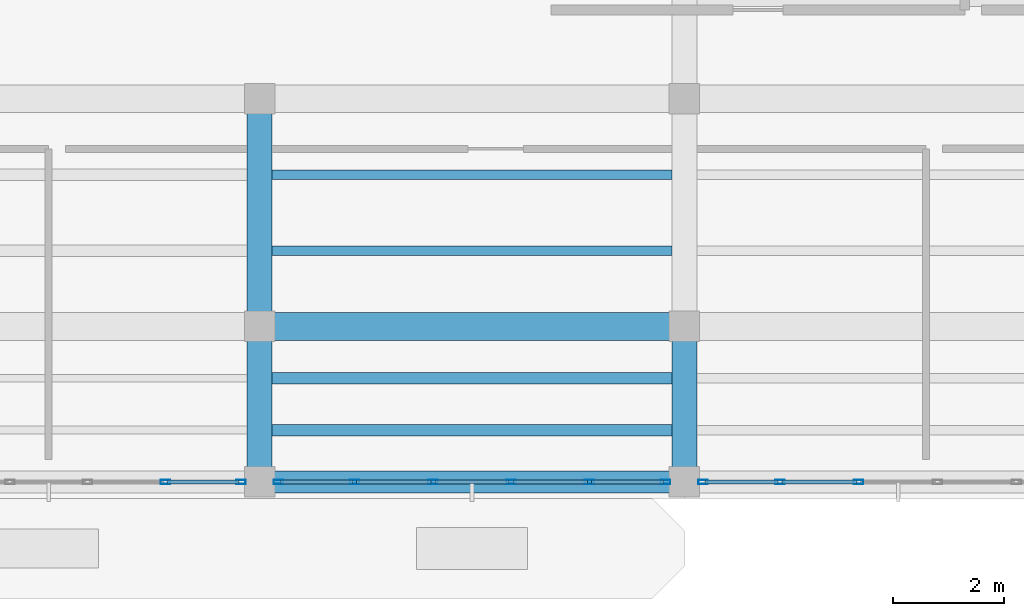
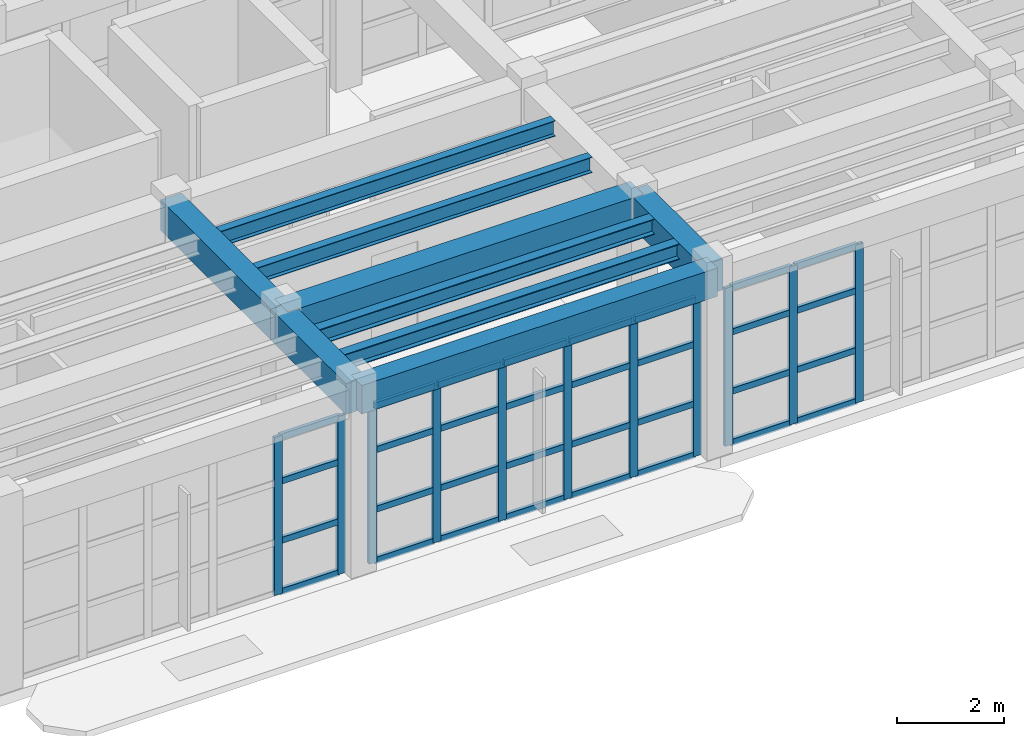
# One storey, part 25 of 85: 43 members, 9 beams, 3 elements without a shape of their own.
"""IFC4 building model written with IfcOpenShell, lengths in metres."""

from ifc_helpers import new_model, si_unit, direction, frame, origin, origin_2d, place, context, subcontext, project, spatial, rectangle, hollow_rectangle, i_section, extrude, material, layer, layer_set, material_profile, profile_set, type_object, element, aggregate, save


model = new_model("IFC4")

# Units and contexts
model_context = context("Model", 3, precision=1e-05, world=origin(), true_north=direction((0.0, 1.0)))
body_context = subcontext(model_context, "Body", "Model", "MODEL_VIEW")
ifc_project = project(units=[si_unit("LENGTHUNIT", "METRE"), si_unit("AREAUNIT", "SQUARE_METRE"), si_unit("VOLUMEUNIT", "CUBIC_METRE"), si_unit("PLANEANGLEUNIT", "RADIAN"), si_unit("MASSUNIT", "GRAM", prefix="KILO")], contexts=[model_context])

# Site, building, storey
site_placement = place(None, origin())
site = spatial("IfcSite", under=ifc_project, at=site_placement, CompositionType="ELEMENT")
building_placement = place(site_placement, origin())
building = spatial("IfcBuilding", under=site, at=building_placement, Name="Candilejo Ridge Gondola Terminal", CompositionType="ELEMENT")
storey_placement = place(building_placement, frame((0.0, 0.0, 4.5)))
storey = spatial("IfcBuildingStorey", under=building, at=storey_placement, Name="L01", CompositionType="ELEMENT", Elevation=4.5)

# Curtain wall, members
ifc_material_1 = material(Name="Anodised aluminium AA 6063-T6", Category="aluminium")
ifc_layer_1 = layer(ifc_material_1, 0.169921875)
ifc_layer_set_1 = layer_set([ifc_layer_1], Name="ARC-CW-CONCOURSE-3600-700X359")
curtain_wall_type_1 = type_object("IfcCurtainWallType", Name="ARC-CW-CONCOURSE-3600-700X359", PredefinedType="NOTDEFINED", material=ifc_layer_set_1)
curtain_wall_1_placement = place(storey_placement, origin())
curtain_wall_1 = element("IfcCurtainWall", 1, at=curtain_wall_1_placement, inside=storey, type_object=curtain_wall_type_1, Name="Curtain wall V3 L01-073", PredefinedType="NOTDEFINED")
ifc_material_2 = material(Name="Anodised aluminium AA 6063-T6", Category="aluminium")
ifc_material_profile_1 = material_profile(ifc_material_2, hollow_rectangle(XDim=0.074951171875, YDim=0.169921875, WallThickness=0.00390625, at=origin_2d()))
ifc_profile_set_1 = profile_set([ifc_material_profile_1], Name="Anodised aluminium AA 6063-T6")
member_type_1 = type_object("IfcMemberType", Name="ARC-CW-MULLION", PredefinedType="MULLION", material=ifc_profile_set_1)
member_1_placement = place(storey_placement, frame((100.5, 22.89990234375, 0.0), z_axis=(0.0, 0.0, 1.0), x_axis=(0.0, 1.0, 0.0)))
member_1 = element("IfcMember", 2, at=member_1_placement, type_object=member_type_1, Name="CW-70X35 mullion 5", PredefinedType="MULLION", context=body_context, shape_type="SweptSolid", body=[
    extrude(hollow_rectangle(XDim=0.074951171875, YDim=0.169921875, WallThickness=0.00390625, at=origin_2d()), origin(), (0.0, 0.0, 1.0), 3.590087890625),
])
member_2_placement = place(storey_placement, frame((101.862548828125, 22.89990234375, 0.0), z_axis=(0.0, 0.0, 1.0), x_axis=(0.0, 1.0, 0.0)))
member_2 = element("IfcMember", 3, at=member_2_placement, type_object=member_type_1, Name="CW-70X35 mullion 6", PredefinedType="MULLION", context=body_context, shape_type="SweptSolid", body=[
    extrude(hollow_rectangle(XDim=0.074951171875, YDim=0.169921875, WallThickness=0.00390625, at=origin_2d()), origin(), (0.0, 0.0, 1.0), 3.590087890625),
])

ifc_material_3 = material(Name="Anodised aluminium AA 6063-T6", Category="aluminium")
ifc_layer_2 = layer(ifc_material_3, 0.169921875)
ifc_layer_set_2 = layer_set([ifc_layer_2], Name="ARC-CW-CONCOURSE-3600-705X359")
curtain_wall_type_2 = type_object("IfcCurtainWallType", Name="ARC-CW-CONCOURSE-3600-705X359", PredefinedType="NOTDEFINED", material=ifc_layer_set_2)
curtain_wall_2_placement = place(storey_placement, origin())
curtain_wall_2 = element("IfcCurtainWall", 4, at=curtain_wall_2_placement, inside=storey, type_object=curtain_wall_type_2, Name="Curtain wall V3 L01-075", PredefinedType="NOTDEFINED")
member_3_placement = place(storey_placement, frame((102.53759765625, 22.89990234375, 0.0), z_axis=(0.0, 0.0, 1.0), x_axis=(0.0, 1.0, 0.0)))
member_3 = element("IfcMember", 5, at=member_3_placement, type_object=member_type_1, Name="CW-70X35 mullion 1", PredefinedType="MULLION", context=body_context, shape_type="SweptSolid", body=[
    extrude(hollow_rectangle(XDim=0.074951171875, YDim=0.169921875, WallThickness=0.00390625, at=origin_2d()), origin(), (0.0, 0.0, 1.0), 3.590087890625),
])
member_4_placement = place(storey_placement, frame((103.909912109375, 22.89990234375, 0.0), z_axis=(0.0, 0.0, 1.0), x_axis=(0.0, 1.0, 0.0)))
member_4 = element("IfcMember", 6, at=member_4_placement, type_object=member_type_1, Name="CW-70X35 mullion 2", PredefinedType="MULLION", context=body_context, shape_type="SweptSolid", body=[
    extrude(hollow_rectangle(XDim=0.074951171875, YDim=0.169921875, WallThickness=0.00390625, at=origin_2d()), origin(), (0.0, 0.0, 1.0), 3.590087890625),
])
member_5_placement = place(storey_placement, frame((105.320068359375, 22.89990234375, 0.0), z_axis=(0.0, 0.0, 1.0), x_axis=(0.0, 1.0, 0.0)))
member_5 = element("IfcMember", 7, at=member_5_placement, type_object=member_type_1, Name="CW-70X35 mullion 3", PredefinedType="MULLION", context=body_context, shape_type="SweptSolid", body=[
    extrude(hollow_rectangle(XDim=0.074951171875, YDim=0.169921875, WallThickness=0.00390625, at=origin_2d()), origin(), (0.0, 0.0, 1.0), 3.590087890625),
])
member_6_placement = place(storey_placement, frame((106.72998046875, 22.89990234375, 0.0), z_axis=(0.0, 0.0, 1.0), x_axis=(0.0, 1.0, 0.0)))
member_6 = element("IfcMember", 8, at=member_6_placement, type_object=member_type_1, Name="CW-70X35 mullion 4", PredefinedType="MULLION", context=body_context, shape_type="SweptSolid", body=[
    extrude(hollow_rectangle(XDim=0.074951171875, YDim=0.169921875, WallThickness=0.00390625, at=origin_2d()), origin(), (0.0, 0.0, 1.0), 3.590087890625),
])
member_7_placement = place(storey_placement, frame((108.139892578125, 22.89990234375, 0.0), z_axis=(0.0, 0.0, 1.0), x_axis=(0.0, 1.0, 0.0)))
member_7 = element("IfcMember", 9, at=member_7_placement, type_object=member_type_1, Name="CW-70X35 mullion 5", PredefinedType="MULLION", context=body_context, shape_type="SweptSolid", body=[
    extrude(hollow_rectangle(XDim=0.074951171875, YDim=0.169921875, WallThickness=0.00390625, at=origin_2d()), origin(), (0.0, 0.0, 1.0), 3.590087890625),
])
member_8_placement = place(storey_placement, frame((109.512451171875, 22.89990234375, 0.0), z_axis=(0.0, 0.0, 1.0), x_axis=(0.0, 1.0, 0.0)))
member_8 = element("IfcMember", 10, at=member_8_placement, type_object=member_type_1, Name="CW-70X35 mullion 6", PredefinedType="MULLION", context=body_context, shape_type="SweptSolid", body=[
    extrude(hollow_rectangle(XDim=0.074951171875, YDim=0.169921875, WallThickness=0.00390625, at=origin_2d()), origin(), (0.0, 0.0, 1.0), 3.590087890625),
])

ifc_material_4 = material(Name="Anodised aluminium AA 6063-T6", Category="aluminium")
ifc_layer_3 = layer(ifc_material_4, 0.169921875)
ifc_layer_set_3 = layer_set([ifc_layer_3], Name="ARC-CW-CONCOURSE-3600-710X359")
curtain_wall_type_3 = type_object("IfcCurtainWallType", Name="ARC-CW-CONCOURSE-3600-710X359", PredefinedType="NOTDEFINED", material=ifc_layer_set_3)
curtain_wall_3_placement = place(storey_placement, origin())
curtain_wall_3 = element("IfcCurtainWall", 11, at=curtain_wall_3_placement, inside=storey, type_object=curtain_wall_type_3, Name="Curtain wall V3 L01-077", PredefinedType="NOTDEFINED")
member_9_placement = place(storey_placement, frame((110.1875, 22.89990234375, 0.0), z_axis=(0.0, 0.0, 1.0), x_axis=(0.0, 1.0, 0.0)))
member_9 = element("IfcMember", 12, at=member_9_placement, type_object=member_type_1, Name="CW-71X35 mullion 1", PredefinedType="MULLION", context=body_context, shape_type="SweptSolid", body=[
    extrude(hollow_rectangle(XDim=0.074951171875, YDim=0.169921875, WallThickness=0.00390625, at=origin_2d()), origin(), (0.0, 0.0, 1.0), 3.590087890625),
])
member_10_placement = place(storey_placement, frame((111.570068359375, 22.89990234375, 0.0), z_axis=(0.0, 0.0, 1.0), x_axis=(0.0, 1.0, 0.0)))
member_10 = element("IfcMember", 13, at=member_10_placement, type_object=member_type_1, Name="CW-71X35 mullion 2", PredefinedType="MULLION", context=body_context, shape_type="SweptSolid", body=[
    extrude(hollow_rectangle(XDim=0.074951171875, YDim=0.169921875, WallThickness=0.00390625, at=origin_2d()), origin(), (0.0, 0.0, 1.0), 3.590087890625),
])
member_11_placement = place(storey_placement, frame((112.989990234375, 22.89990234375, 0.0), z_axis=(0.0, 0.0, 1.0), x_axis=(0.0, 1.0, 0.0)))
member_11 = element("IfcMember", 14, at=member_11_placement, type_object=member_type_1, Name="CW-71X35 mullion 3", PredefinedType="MULLION", context=body_context, shape_type="SweptSolid", body=[
    extrude(hollow_rectangle(XDim=0.074951171875, YDim=0.169921875, WallThickness=0.00390625, at=origin_2d()), origin(), (0.0, 0.0, 1.0), 3.590087890625),
])

# Member
ifc_material_5 = material(Name="Anodised aluminium AA 6063-T6", Category="aluminium")
ifc_material_profile_2 = material_profile(ifc_material_5, hollow_rectangle(XDim=0.074951171875, YDim=0.139892578125, WallThickness=0.00390625, at=origin_2d()))
ifc_profile_set_2 = profile_set([ifc_material_profile_2], Name="Anodised aluminium AA 6063-T6")
member_type_2 = type_object("IfcMemberType", Name="ARC-CW-TRANSOM", PredefinedType="USERDEFINED", material=ifc_profile_set_2)
member_12_placement = place(storey_placement, frame((100.53759765625, 22.89990234375, 0.03759765625), z_axis=(1.0, 0.0, 0.0), x_axis=(0.0, 1.0, 0.0)))
member_12 = element("IfcMember", 15, at=member_12_placement, type_object=member_type_2, Name="CW-70X35 transom 5.1", ObjectType="TRANSOM", PredefinedType="USERDEFINED", context=body_context, shape_type="SweptSolid", body=[
    extrude(hollow_rectangle(XDim=0.074951171875, YDim=0.139892578125, WallThickness=0.00390625, at=origin_2d()), origin(), (0.0, 0.0, 1.0), 1.287353515625),
])

member_13_placement = place(storey_placement, frame((100.53759765625, 22.89990234375, 1.199951171875), z_axis=(1.0, 0.0, 0.0), x_axis=(0.0, 1.0, 0.0)))
member_13 = element("IfcMember", 16, at=member_13_placement, type_object=member_type_2, Name="CW-70X35 transom 5.2", ObjectType="TRANSOM", PredefinedType="USERDEFINED", context=body_context, shape_type="SweptSolid", body=[
    extrude(hollow_rectangle(XDim=0.074951171875, YDim=0.139892578125, WallThickness=0.00390625, at=origin_2d()), origin(), (0.0, 0.0, 1.0), 1.287353515625),
])

member_14_placement = place(storey_placement, frame((100.53759765625, 22.89990234375, 2.550048828125), z_axis=(1.0, 0.0, 0.0), x_axis=(0.0, 1.0, 0.0)))
member_14 = element("IfcMember", 17, at=member_14_placement, type_object=member_type_2, Name="CW-70X35 transom 5.3", ObjectType="TRANSOM", PredefinedType="USERDEFINED", context=body_context, shape_type="SweptSolid", body=[
    extrude(hollow_rectangle(XDim=0.074951171875, YDim=0.139892578125, WallThickness=0.00390625, at=origin_2d()), origin(), (0.0, 0.0, 1.0), 1.287353515625),
])

member_15_placement = place(storey_placement, frame((100.53759765625, 22.89990234375, 3.552490234375), z_axis=(1.0, 0.0, 0.0), x_axis=(0.0, 1.0, 0.0)))
member_15 = element("IfcMember", 18, at=member_15_placement, type_object=member_type_2, Name="CW-70X35 transom 5.4", ObjectType="TRANSOM", PredefinedType="USERDEFINED", context=body_context, shape_type="SweptSolid", body=[
    extrude(hollow_rectangle(XDim=0.074951171875, YDim=0.139892578125, WallThickness=0.00390625, at=origin_2d()), origin(), (0.0, 0.0, 1.0), 1.287353515625),
])

aggregate(curtain_wall_1, [member_1, member_2, member_12, member_13, member_14, member_15])

member_16_placement = place(storey_placement, frame((102.574951171875, 22.89990234375, 0.03759765625), z_axis=(1.0, 0.0, 0.0), x_axis=(0.0, 1.0, 0.0)))
member_16 = element("IfcMember", 19, at=member_16_placement, type_object=member_type_2, Name="CW-70X35 transom 1.1", ObjectType="TRANSOM", PredefinedType="USERDEFINED", context=body_context, shape_type="SweptSolid", body=[
    extrude(hollow_rectangle(XDim=0.074951171875, YDim=0.139892578125, WallThickness=0.00390625, at=origin_2d()), origin(), (0.0, 0.0, 1.0), 1.297607421875),
])

member_17_placement = place(storey_placement, frame((102.574951171875, 22.89990234375, 1.199951171875), z_axis=(1.0, 0.0, 0.0), x_axis=(0.0, 1.0, 0.0)))
member_17 = element("IfcMember", 20, at=member_17_placement, type_object=member_type_2, Name="CW-70X35 transom 1.2", ObjectType="TRANSOM", PredefinedType="USERDEFINED", context=body_context, shape_type="SweptSolid", body=[
    extrude(hollow_rectangle(XDim=0.074951171875, YDim=0.139892578125, WallThickness=0.00390625, at=origin_2d()), origin(), (0.0, 0.0, 1.0), 1.297607421875),
])

member_18_placement = place(storey_placement, frame((102.574951171875, 22.89990234375, 2.550048828125), z_axis=(1.0, 0.0, 0.0), x_axis=(0.0, 1.0, 0.0)))
member_18 = element("IfcMember", 21, at=member_18_placement, type_object=member_type_2, Name="CW-70X35 transom 1.3", ObjectType="TRANSOM", PredefinedType="USERDEFINED", context=body_context, shape_type="SweptSolid", body=[
    extrude(hollow_rectangle(XDim=0.074951171875, YDim=0.139892578125, WallThickness=0.00390625, at=origin_2d()), origin(), (0.0, 0.0, 1.0), 1.297607421875),
])

member_19_placement = place(storey_placement, frame((102.574951171875, 22.89990234375, 3.552490234375), z_axis=(1.0, 0.0, 0.0), x_axis=(0.0, 1.0, 0.0)))
member_19 = element("IfcMember", 22, at=member_19_placement, type_object=member_type_2, Name="CW-70X35 transom 1.4", ObjectType="TRANSOM", PredefinedType="USERDEFINED", context=body_context, shape_type="SweptSolid", body=[
    extrude(hollow_rectangle(XDim=0.074951171875, YDim=0.139892578125, WallThickness=0.00390625, at=origin_2d()), origin(), (0.0, 0.0, 1.0), 1.297607421875),
])

member_20_placement = place(storey_placement, frame((103.947509765625, 22.89990234375, 0.03759765625), z_axis=(1.0, 0.0, 0.0), x_axis=(0.0, 1.0, 0.0)))
member_20 = element("IfcMember", 23, at=member_20_placement, type_object=member_type_2, Name="CW-70X35 transom 2.1", ObjectType="TRANSOM", PredefinedType="USERDEFINED", context=body_context, shape_type="SweptSolid", body=[
    extrude(hollow_rectangle(XDim=0.074951171875, YDim=0.139892578125, WallThickness=0.00390625, at=origin_2d()), origin(), (0.0, 0.0, 1.0), 1.3349609375),
])

member_21_placement = place(storey_placement, frame((103.947509765625, 22.89990234375, 1.199951171875), z_axis=(1.0, 0.0, 0.0), x_axis=(0.0, 1.0, 0.0)))
member_21 = element("IfcMember", 24, at=member_21_placement, type_object=member_type_2, Name="CW-70X35 transom 2.2", ObjectType="TRANSOM", PredefinedType="USERDEFINED", context=body_context, shape_type="SweptSolid", body=[
    extrude(hollow_rectangle(XDim=0.074951171875, YDim=0.139892578125, WallThickness=0.00390625, at=origin_2d()), origin(), (0.0, 0.0, 1.0), 1.3349609375),
])

member_22_placement = place(storey_placement, frame((103.947509765625, 22.89990234375, 2.550048828125), z_axis=(1.0, 0.0, 0.0), x_axis=(0.0, 1.0, 0.0)))
member_22 = element("IfcMember", 25, at=member_22_placement, type_object=member_type_2, Name="CW-70X35 transom 2.3", ObjectType="TRANSOM", PredefinedType="USERDEFINED", context=body_context, shape_type="SweptSolid", body=[
    extrude(hollow_rectangle(XDim=0.074951171875, YDim=0.139892578125, WallThickness=0.00390625, at=origin_2d()), origin(), (0.0, 0.0, 1.0), 1.3349609375),
])

member_23_placement = place(storey_placement, frame((103.947509765625, 22.89990234375, 3.552490234375), z_axis=(1.0, 0.0, 0.0), x_axis=(0.0, 1.0, 0.0)))
member_23 = element("IfcMember", 26, at=member_23_placement, type_object=member_type_2, Name="CW-70X35 transom 2.4", ObjectType="TRANSOM", PredefinedType="USERDEFINED", context=body_context, shape_type="SweptSolid", body=[
    extrude(hollow_rectangle(XDim=0.074951171875, YDim=0.139892578125, WallThickness=0.00390625, at=origin_2d()), origin(), (0.0, 0.0, 1.0), 1.3349609375),
])

member_24_placement = place(storey_placement, frame((105.357421875, 22.89990234375, 0.03759765625), z_axis=(1.0, 0.0, 0.0), x_axis=(0.0, 1.0, 0.0)))
member_24 = element("IfcMember", 27, at=member_24_placement, type_object=member_type_2, Name="CW-70X35 transom 3.1", ObjectType="TRANSOM", PredefinedType="USERDEFINED", context=body_context, shape_type="SweptSolid", body=[
    extrude(hollow_rectangle(XDim=0.074951171875, YDim=0.139892578125, WallThickness=0.00390625, at=origin_2d()), origin(), (0.0, 0.0, 1.0), 1.3349609375),
])

member_25_placement = place(storey_placement, frame((105.357421875, 22.89990234375, 1.199951171875), z_axis=(1.0, 0.0, 0.0), x_axis=(0.0, 1.0, 0.0)))
member_25 = element("IfcMember", 28, at=member_25_placement, type_object=member_type_2, Name="CW-70X35 transom 3.2", ObjectType="TRANSOM", PredefinedType="USERDEFINED", context=body_context, shape_type="SweptSolid", body=[
    extrude(hollow_rectangle(XDim=0.074951171875, YDim=0.139892578125, WallThickness=0.00390625, at=origin_2d()), origin(), (0.0, 0.0, 1.0), 1.3349609375),
])

member_26_placement = place(storey_placement, frame((105.357421875, 22.89990234375, 2.550048828125), z_axis=(1.0, 0.0, 0.0), x_axis=(0.0, 1.0, 0.0)))
member_26 = element("IfcMember", 29, at=member_26_placement, type_object=member_type_2, Name="CW-70X35 transom 3.3", ObjectType="TRANSOM", PredefinedType="USERDEFINED", context=body_context, shape_type="SweptSolid", body=[
    extrude(hollow_rectangle(XDim=0.074951171875, YDim=0.139892578125, WallThickness=0.00390625, at=origin_2d()), origin(), (0.0, 0.0, 1.0), 1.3349609375),
])

member_27_placement = place(storey_placement, frame((105.357421875, 22.89990234375, 3.552490234375), z_axis=(1.0, 0.0, 0.0), x_axis=(0.0, 1.0, 0.0)))
member_27 = element("IfcMember", 30, at=member_27_placement, type_object=member_type_2, Name="CW-70X35 transom 3.4", ObjectType="TRANSOM", PredefinedType="USERDEFINED", context=body_context, shape_type="SweptSolid", body=[
    extrude(hollow_rectangle(XDim=0.074951171875, YDim=0.139892578125, WallThickness=0.00390625, at=origin_2d()), origin(), (0.0, 0.0, 1.0), 1.3349609375),
])

member_28_placement = place(storey_placement, frame((106.767578125, 22.89990234375, 0.03759765625), z_axis=(1.0, 0.0, 0.0), x_axis=(0.0, 1.0, 0.0)))
member_28 = element("IfcMember", 31, at=member_28_placement, type_object=member_type_2, Name="CW-70X35 transom 4.1", ObjectType="TRANSOM", PredefinedType="USERDEFINED", context=body_context, shape_type="SweptSolid", body=[
    extrude(hollow_rectangle(XDim=0.074951171875, YDim=0.139892578125, WallThickness=0.00390625, at=origin_2d()), origin(), (0.0, 0.0, 1.0), 1.3349609375),
])

member_29_placement = place(storey_placement, frame((106.767578125, 22.89990234375, 1.199951171875), z_axis=(1.0, 0.0, 0.0), x_axis=(0.0, 1.0, 0.0)))
member_29 = element("IfcMember", 32, at=member_29_placement, type_object=member_type_2, Name="CW-70X35 transom 4.2", ObjectType="TRANSOM", PredefinedType="USERDEFINED", context=body_context, shape_type="SweptSolid", body=[
    extrude(hollow_rectangle(XDim=0.074951171875, YDim=0.139892578125, WallThickness=0.00390625, at=origin_2d()), origin(), (0.0, 0.0, 1.0), 1.3349609375),
])

member_30_placement = place(storey_placement, frame((106.767578125, 22.89990234375, 2.550048828125), z_axis=(1.0, 0.0, 0.0), x_axis=(0.0, 1.0, 0.0)))
member_30 = element("IfcMember", 33, at=member_30_placement, type_object=member_type_2, Name="CW-70X35 transom 4.3", ObjectType="TRANSOM", PredefinedType="USERDEFINED", context=body_context, shape_type="SweptSolid", body=[
    extrude(hollow_rectangle(XDim=0.074951171875, YDim=0.139892578125, WallThickness=0.00390625, at=origin_2d()), origin(), (0.0, 0.0, 1.0), 1.3349609375),
])

member_31_placement = place(storey_placement, frame((106.767578125, 22.89990234375, 3.552490234375), z_axis=(1.0, 0.0, 0.0), x_axis=(0.0, 1.0, 0.0)))
member_31 = element("IfcMember", 34, at=member_31_placement, type_object=member_type_2, Name="CW-70X35 transom 4.4", ObjectType="TRANSOM", PredefinedType="USERDEFINED", context=body_context, shape_type="SweptSolid", body=[
    extrude(hollow_rectangle(XDim=0.074951171875, YDim=0.139892578125, WallThickness=0.00390625, at=origin_2d()), origin(), (0.0, 0.0, 1.0), 1.3349609375),
])

member_32_placement = place(storey_placement, frame((108.177490234375, 22.89990234375, 0.03759765625), z_axis=(1.0, 0.0, 0.0), x_axis=(0.0, 1.0, 0.0)))
member_32 = element("IfcMember", 35, at=member_32_placement, type_object=member_type_2, Name="CW-70X35 transom 5.1", ObjectType="TRANSOM", PredefinedType="USERDEFINED", context=body_context, shape_type="SweptSolid", body=[
    extrude(hollow_rectangle(XDim=0.074951171875, YDim=0.139892578125, WallThickness=0.00390625, at=origin_2d()), origin(), (0.0, 0.0, 1.0), 1.297607421875),
])

member_33_placement = place(storey_placement, frame((108.177490234375, 22.89990234375, 1.199951171875), z_axis=(1.0, 0.0, 0.0), x_axis=(0.0, 1.0, 0.0)))
member_33 = element("IfcMember", 36, at=member_33_placement, type_object=member_type_2, Name="CW-70X35 transom 5.2", ObjectType="TRANSOM", PredefinedType="USERDEFINED", context=body_context, shape_type="SweptSolid", body=[
    extrude(hollow_rectangle(XDim=0.074951171875, YDim=0.139892578125, WallThickness=0.00390625, at=origin_2d()), origin(), (0.0, 0.0, 1.0), 1.297607421875),
])

member_34_placement = place(storey_placement, frame((108.177490234375, 22.89990234375, 2.550048828125), z_axis=(1.0, 0.0, 0.0), x_axis=(0.0, 1.0, 0.0)))
member_34 = element("IfcMember", 37, at=member_34_placement, type_object=member_type_2, Name="CW-70X35 transom 5.3", ObjectType="TRANSOM", PredefinedType="USERDEFINED", context=body_context, shape_type="SweptSolid", body=[
    extrude(hollow_rectangle(XDim=0.074951171875, YDim=0.139892578125, WallThickness=0.00390625, at=origin_2d()), origin(), (0.0, 0.0, 1.0), 1.297607421875),
])

member_35_placement = place(storey_placement, frame((108.177490234375, 22.89990234375, 3.552490234375), z_axis=(1.0, 0.0, 0.0), x_axis=(0.0, 1.0, 0.0)))
member_35 = element("IfcMember", 38, at=member_35_placement, type_object=member_type_2, Name="CW-70X35 transom 5.4", ObjectType="TRANSOM", PredefinedType="USERDEFINED", context=body_context, shape_type="SweptSolid", body=[
    extrude(hollow_rectangle(XDim=0.074951171875, YDim=0.139892578125, WallThickness=0.00390625, at=origin_2d()), origin(), (0.0, 0.0, 1.0), 1.297607421875),
])

aggregate(curtain_wall_2, [member_3, member_4, member_5, member_6, member_7, member_8, member_16, member_17, member_18, member_19, member_20, member_21, member_22, member_23, member_24, member_25, member_26, member_27, member_28, member_29, member_30, member_31, member_32, member_33, member_34, member_35])

member_36_placement = place(storey_placement, frame((110.22509765625, 22.89990234375, 0.03759765625), z_axis=(1.0, 0.0, 0.0), x_axis=(0.0, 1.0, 0.0)))
member_36 = element("IfcMember", 39, at=member_36_placement, type_object=member_type_2, Name="CW-71X35 transom 1.1", ObjectType="TRANSOM", PredefinedType="USERDEFINED", context=body_context, shape_type="SweptSolid", body=[
    extrude(hollow_rectangle(XDim=0.074951171875, YDim=0.139892578125, WallThickness=0.00390625, at=origin_2d()), origin(), (0.0, 0.0, 1.0), 1.307373046875),
])

member_37_placement = place(storey_placement, frame((110.22509765625, 22.89990234375, 1.199951171875), z_axis=(1.0, 0.0, 0.0), x_axis=(0.0, 1.0, 0.0)))
member_37 = element("IfcMember", 40, at=member_37_placement, type_object=member_type_2, Name="CW-71X35 transom 1.2", ObjectType="TRANSOM", PredefinedType="USERDEFINED", context=body_context, shape_type="SweptSolid", body=[
    extrude(hollow_rectangle(XDim=0.074951171875, YDim=0.139892578125, WallThickness=0.00390625, at=origin_2d()), origin(), (0.0, 0.0, 1.0), 1.307373046875),
])

member_38_placement = place(storey_placement, frame((110.22509765625, 22.89990234375, 2.550048828125), z_axis=(1.0, 0.0, 0.0), x_axis=(0.0, 1.0, 0.0)))
member_38 = element("IfcMember", 41, at=member_38_placement, type_object=member_type_2, Name="CW-71X35 transom 1.3", ObjectType="TRANSOM", PredefinedType="USERDEFINED", context=body_context, shape_type="SweptSolid", body=[
    extrude(hollow_rectangle(XDim=0.074951171875, YDim=0.139892578125, WallThickness=0.00390625, at=origin_2d()), origin(), (0.0, 0.0, 1.0), 1.307373046875),
])

member_39_placement = place(storey_placement, frame((110.22509765625, 22.89990234375, 3.552490234375), z_axis=(1.0, 0.0, 0.0), x_axis=(0.0, 1.0, 0.0)))
member_39 = element("IfcMember", 42, at=member_39_placement, type_object=member_type_2, Name="CW-71X35 transom 1.4", ObjectType="TRANSOM", PredefinedType="USERDEFINED", context=body_context, shape_type="SweptSolid", body=[
    extrude(hollow_rectangle(XDim=0.074951171875, YDim=0.139892578125, WallThickness=0.00390625, at=origin_2d()), origin(), (0.0, 0.0, 1.0), 1.307373046875),
])

member_40_placement = place(storey_placement, frame((111.607421875, 22.89990234375, 0.03759765625), z_axis=(1.0, 0.0, 0.0), x_axis=(0.0, 1.0, 0.0)))
member_40 = element("IfcMember", 43, at=member_40_placement, type_object=member_type_2, Name="CW-71X35 transom 2.1", ObjectType="TRANSOM", PredefinedType="USERDEFINED", context=body_context, shape_type="SweptSolid", body=[
    extrude(hollow_rectangle(XDim=0.074951171875, YDim=0.139892578125, WallThickness=0.00390625, at=origin_2d()), origin(), (0.0, 0.0, 1.0), 1.344970703125),
])

member_41_placement = place(storey_placement, frame((111.607421875, 22.89990234375, 1.199951171875), z_axis=(1.0, 0.0, 0.0), x_axis=(0.0, 1.0, 0.0)))
member_41 = element("IfcMember", 44, at=member_41_placement, type_object=member_type_2, Name="CW-71X35 transom 2.2", ObjectType="TRANSOM", PredefinedType="USERDEFINED", context=body_context, shape_type="SweptSolid", body=[
    extrude(hollow_rectangle(XDim=0.074951171875, YDim=0.139892578125, WallThickness=0.00390625, at=origin_2d()), origin(), (0.0, 0.0, 1.0), 1.344970703125),
])

member_42_placement = place(storey_placement, frame((111.607421875, 22.89990234375, 2.550048828125), z_axis=(1.0, 0.0, 0.0), x_axis=(0.0, 1.0, 0.0)))
member_42 = element("IfcMember", 45, at=member_42_placement, type_object=member_type_2, Name="CW-71X35 transom 2.3", ObjectType="TRANSOM", PredefinedType="USERDEFINED", context=body_context, shape_type="SweptSolid", body=[
    extrude(hollow_rectangle(XDim=0.074951171875, YDim=0.139892578125, WallThickness=0.00390625, at=origin_2d()), origin(), (0.0, 0.0, 1.0), 1.344970703125),
])

member_43_placement = place(storey_placement, frame((111.607421875, 22.89990234375, 3.552490234375), z_axis=(1.0, 0.0, 0.0), x_axis=(0.0, 1.0, 0.0)))
member_43 = element("IfcMember", 46, at=member_43_placement, type_object=member_type_2, Name="CW-71X35 transom 2.4", ObjectType="TRANSOM", PredefinedType="USERDEFINED", context=body_context, shape_type="SweptSolid", body=[
    extrude(hollow_rectangle(XDim=0.074951171875, YDim=0.139892578125, WallThickness=0.00390625, at=origin_2d()), origin(), (0.0, 0.0, 1.0), 1.344970703125),
])

aggregate(curtain_wall_3, [member_9, member_10, member_11, member_36, member_37, member_38, member_39, member_40, member_41, member_42, member_43])

# Beams
ifc_material_6 = material(Name="Concrete f'c 35 MPa (C35/45)", Category="concrete")
ifc_material_profile_3 = material_profile(ifc_material_6, rectangle(XDim=0.449951171875, YDim=0.699951171875, at=origin_2d()))
ifc_profile_set_3 = profile_set([ifc_material_profile_3], Name="Concrete f'c 35 MPa (C35/45)")
beam_type_1 = type_object("IfcBeamType", Name="STR-BM-RC450X700", PredefinedType="BEAM", material=ifc_profile_set_3)
beam_1_placement = place(storey_placement, frame((102.199951171875, 22.89990234375, 3.89990234375), z_axis=(0.0, 1.0, 0.0), x_axis=(-1.0, 0.0, 0.0)))
element("IfcBeam", 47, at=beam_1_placement, inside=storey, type_object=beam_type_1, Name="Beam Y V3 L01 Y04-Y05@X16", PredefinedType="BEAM", context=body_context, shape_type="SweptSolid", body=[
    extrude(rectangle(XDim=0.449951171875, YDim=0.699951171875, at=origin_2d()), origin(), (0.0, 0.0, 1.0), 2.800048828125),
])
beam_2_placement = place(storey_placement, frame((102.199951171875, 25.699951171875, 3.89990234375), z_axis=(0.0, 1.0, 0.0), x_axis=(-1.0, 0.0, 0.0)))
element("IfcBeam", 48, at=beam_2_placement, inside=storey, type_object=beam_type_1, Name="Beam Y V3 L01 Y05-Y06@X16", PredefinedType="BEAM", context=body_context, shape_type="SweptSolid", body=[
    extrude(rectangle(XDim=0.449951171875, YDim=0.699951171875, at=origin_2d()), origin(), (0.0, 0.0, 1.0), 4.10009765625),
])
beam_3_placement = place(storey_placement, frame((109.85009765625, 22.89990234375, 3.89990234375), z_axis=(0.0, 1.0, 0.0), x_axis=(-1.0, 0.0, 0.0)))
element("IfcBeam", 49, at=beam_3_placement, inside=storey, type_object=beam_type_1, Name="Beam Y V3 L01 Y04-Y05@X17", PredefinedType="BEAM", context=body_context, shape_type="SweptSolid", body=[
    extrude(rectangle(XDim=0.449951171875, YDim=0.699951171875, at=origin_2d()), origin(), (0.0, 0.0, 1.0), 2.800048828125),
])
ifc_material_7 = material(Name="Concrete f'c 35 MPa (C35/45)", Category="concrete")
ifc_material_profile_4 = material_profile(ifc_material_7, rectangle(XDim=0.5, YDim=0.800048828125, at=origin_2d()))
ifc_profile_set_4 = profile_set([ifc_material_profile_4], Name="Concrete f'c 35 MPa (C35/45)")
beam_type_2 = type_object("IfcBeamType", Name="STR-BM-RC500X800", PredefinedType="BEAM", material=ifc_profile_set_4)
beam_4_placement = place(storey_placement, frame((102.199951171875, 25.699951171875, 3.85009765625), z_axis=(1.0, 0.0, 0.0), x_axis=(0.0, 1.0, 0.0)))
element("IfcBeam", 50, at=beam_4_placement, inside=storey, type_object=beam_type_2, Name="Beam X V3 L01 X16-X17@Y05", PredefinedType="BEAM", context=body_context, shape_type="SweptSolid", body=[
    extrude(rectangle(XDim=0.5, YDim=0.800048828125, at=origin_2d()), origin(), (0.0, 0.0, 1.0), 7.650146484375),
])
ifc_material_8 = material(Name="Steel ASTM A992 Grade 50", Category="steel")
ifc_material_profile_5 = material_profile(ifc_material_8, i_section(OverallWidth=0.1708984375, OverallDepth=0.35498046875, WebThickness=0.007080078125, FlangeThickness=0.01171875, at=origin_2d()))
ifc_profile_set_5 = profile_set([ifc_material_profile_5], Name="Steel ASTM A992 Grade 50")
beam_type_3 = type_object("IfcBeamType", Name="STR-JST-W360X51", PredefinedType="JOIST", material=ifc_profile_set_5)
for number, where, z_axis, x_axis, name in (
    (51, (102.425048828125, 27.066650390625, 4.072509765625), (1.0, 0.0, 0.0), (0.0, 1.0, 0.0), "Composite joist V3 L01-0492"),
    (52, (102.425048828125, 28.433349609375, 4.072509765625), (1.0, 0.0, 0.0), (0.0, 1.0, 0.0), "Composite joist V3 L01-0493"),
):
    element("IfcBeam", number, at=place(storey_placement, frame(where, z_axis=z_axis, x_axis=x_axis)), inside=storey, type_object=beam_type_3, Name=name, PredefinedType="JOIST", context=body_context, shape_type="SweptSolid", body=[
        extrude(i_section(OverallWidth=0.1708984375, OverallDepth=0.35498046875, WebThickness=0.007080078125, FlangeThickness=0.01171875, at=origin_2d()), origin(), (0.0, 0.0, 1.0), 7.199951171875),
    ])
ifc_material_9 = material(Name="Steel ASTM A992 Grade 50", Category="steel")
ifc_material_profile_6 = material_profile(ifc_material_9, i_section(OverallWidth=0.205078125, OverallDepth=0.35400390625, WebThickness=0.009521484375, FlangeThickness=0.016845703125, at=origin_2d()))
ifc_profile_set_6 = profile_set([ifc_material_profile_6], Name="Steel ASTM A992 Grade 50")
beam_type_4 = type_object("IfcBeamType", Name="STR-JST-W360X79", PredefinedType="JOIST", material=ifc_profile_set_6)
for number, where, z_axis, x_axis, name in (
    (53, (102.425048828125, 23.833251953125, 4.072998046875), (1.0, 0.0, 0.0), (0.0, 1.0, 0.0), "Composite joist V3 L01-0490"),
    (54, (102.425048828125, 24.7666015625, 4.072998046875), (1.0, 0.0, 0.0), (0.0, 1.0, 0.0), "Composite joist V3 L01-0491"),
):
    element("IfcBeam", number, at=place(storey_placement, frame(where, z_axis=z_axis, x_axis=x_axis)), inside=storey, type_object=beam_type_4, Name=name, PredefinedType="JOIST", context=body_context, shape_type="SweptSolid", body=[
        extrude(i_section(OverallWidth=0.205078125, OverallDepth=0.35400390625, WebThickness=0.009521484375, FlangeThickness=0.016845703125, at=origin_2d()), origin(), (0.0, 0.0, 1.0), 7.199951171875),
    ])
ifc_material_10 = material(Name="Concrete f'c 35 MPa (C35/45)", Category="concrete")
ifc_material_profile_7 = material_profile(ifc_material_10, rectangle(XDim=0.39990234375, YDim=0.64990234375, at=origin_2d()))
ifc_profile_set_7 = profile_set([ifc_material_profile_7], Name="Concrete f'c 35 MPa (C35/45)")
beam_type_5 = type_object("IfcBeamType", Name="STR-SPN-RC400X650", PredefinedType="SPANDREL", material=ifc_profile_set_7)
beam_5_placement = place(storey_placement, frame((102.199951171875, 22.89990234375, 3.925048828125), z_axis=(1.0, 0.0, 0.0), x_axis=(0.0, 1.0, 0.0)))
element("IfcBeam", 55, at=beam_5_placement, inside=storey, type_object=beam_type_5, Name="Beam X V3 L01 X16-X17@Y04", PredefinedType="SPANDREL", context=body_context, shape_type="SweptSolid", body=[
    extrude(rectangle(XDim=0.39990234375, YDim=0.64990234375, at=origin_2d()), origin(), (0.0, 0.0, 1.0), 7.650146484375),
])

save(model, "model.ifc")
